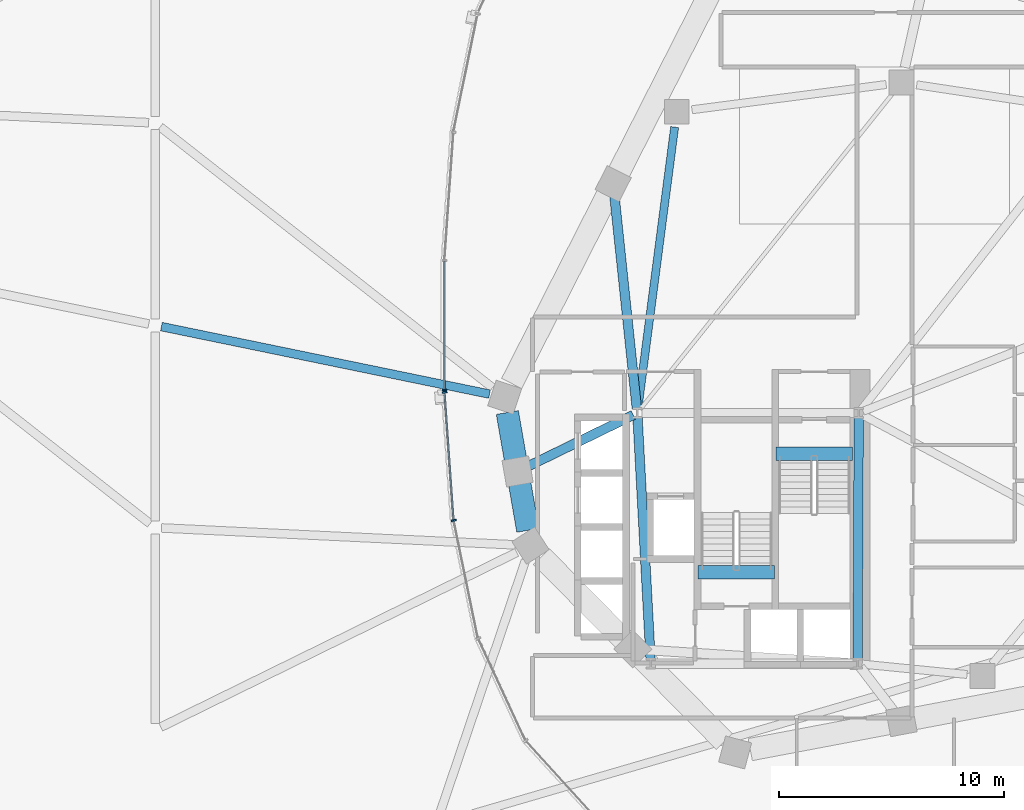
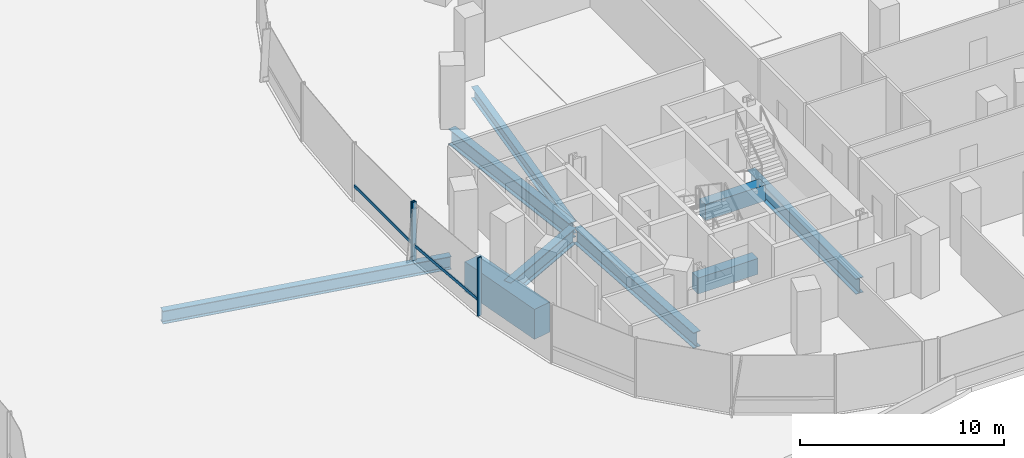
# One storey, part 11 of 28: 9 beams, 5 members, 2 elements without a shape of their own.
"""IFC4 building model written with IfcOpenShell, lengths in metres."""

from ifc_helpers import new_model, si_unit, direction, frame, origin, origin_2d, place, context, subcontext, project, spatial, rectangle, i_section, extrude, material, material_profile, profile_set, type_object, element, aggregate, save


model = new_model("IFC4")

# Units and contexts
model_context = context("Model", 3, precision=1e-05, world=origin(), true_north=direction((0.0, 1.0)))
body_context = subcontext(model_context, "Body", "Model", "MODEL_VIEW")
ifc_project = project(units=[si_unit("LENGTHUNIT", "METRE"), si_unit("AREAUNIT", "SQUARE_METRE"), si_unit("VOLUMEUNIT", "CUBIC_METRE"), si_unit("PLANEANGLEUNIT", "RADIAN"), si_unit("MASSUNIT", "GRAM", prefix="KILO"), si_unit("THERMODYNAMICTEMPERATUREUNIT", "KELVIN"), si_unit("POWERUNIT", "WATT")], contexts=[model_context])

# Site, building, storey
site_placement = place(None, origin())
site = spatial("IfcSite", under=ifc_project, at=site_placement, CompositionType="ELEMENT")
building_placement = place(site_placement, origin())
building = spatial("IfcBuilding", under=site, at=building_placement, Name="Cundina Bronze Exchange", CompositionType="ELEMENT")
storey_placement = place(building_placement, frame((0.0, 0.0, 24.0)))
storey = spatial("IfcBuildingStorey", under=building, at=storey_placement, Name="L05", CompositionType="ELEMENT", Elevation=24.0)

# Beams
ifc_material_1 = material(Name="Concrete C60/75", Category="concrete")
ifc_material_profile_1 = material_profile(ifc_material_1, rectangle(XDim=0.60009765625, YDim=0.949951171875, at=origin_2d()), Name="RC600X950", Category="concrete")
ifc_profile_set_1 = profile_set([ifc_material_profile_1], Name="Concrete C60/75")
beam_type_1 = type_object("IfcBeamType", Name="BM-COUP-RC950", PredefinedType="LINTEL", material=ifc_profile_set_1)
beam_1_placement = place(storey_placement, frame((27.6201171875, -5.719970703125, -0.47509765625), z_axis=(1.0, 0.0, 0.0), x_axis=(0.0, 1.0, 0.0)))
element("IfcBeam", 1, at=beam_1_placement, inside=storey, type_object=beam_type_1, Name="L05 Stair E1 Landing Header Beam", PredefinedType="LINTEL", context=body_context, shape_type="SweptSolid", body=[
    extrude(rectangle(XDim=0.60009765625, YDim=0.949951171875, at=origin_2d()), origin(), (0.0, 0.0, 1.0), 3.39990234375),
])
beam_2_placement = place(storey_placement, frame((24.159912109375, -10.97998046875, -0.47509765625), z_axis=(1.0, 0.0, 0.0), x_axis=(0.0, 1.0, 0.0)))
element("IfcBeam", 2, at=beam_2_placement, inside=storey, type_object=beam_type_1, Name="L05 Stair E2 Landing Header Beam", PredefinedType="LINTEL", context=body_context, shape_type="SweptSolid", body=[
    extrude(rectangle(XDim=0.60009765625, YDim=0.949951171875, at=origin_2d()), origin(), (0.0, 0.0, 1.0), 3.400146484375),
])
ifc_material_2 = material(Name="Steel ASTM A992 Grade 50", Category="steel")
ifc_material_profile_2 = material_profile(ifc_material_2, i_section(OverallWidth=0.35498046875, OverallDepth=0.695068359375, WebThickness=0.015380859375, FlangeThickness=0.02490234375, FilletRadius=0.01806640625, at=origin_2d()), Name="W27X146", Category="steel")
ifc_profile_set_2 = profile_set([ifc_material_profile_2], Name="Steel ASTM A992 Grade 50")
beam_type_2 = type_object("IfcBeamType", Name="BM-RING-W27", PredefinedType="USERDEFINED", material=ifc_profile_set_2)
beam_3_placement = place(storey_placement, frame((23.11083984375, 8.81787109375, -0.6474609375), z_axis=(-0.129498776905, -0.991579581668, 0.0), x_axis=(0.991579581668, -0.129498776905, 0.0)))
element("IfcBeam", 3, at=beam_3_placement, inside=storey, type_object=beam_type_2, Name="L05 E Inner Structural Ring Girder 07", ObjectType="GIRDER", PredefinedType="USERDEFINED", context=body_context, shape_type="SweptSolid", body=[
    extrude(i_section(OverallWidth=0.35498046875, OverallDepth=0.695068359375, WebThickness=0.015380859375, FlangeThickness=0.02490234375, FilletRadius=0.01806640625, at=origin_2d()), origin(), (0.0, 0.0, 1.0), 12.621826171875),
])
ifc_material_profile_3 = material_profile(ifc_material_2, i_section(OverallWidth=0.381103515625, OverallDepth=0.77294921875, WebThickness=0.0166015625, FlangeThickness=0.027099609375, FilletRadius=0.01904296875, at=origin_2d()), Name="W30X173", Category="steel")
ifc_profile_set_3 = profile_set([ifc_material_profile_3], Name="Steel ASTM A992 Grade 50")
beam_type_3 = type_object("IfcBeamType", Name="BM-RING-W30", PredefinedType="USERDEFINED", material=ifc_profile_set_3)
beam_4_placement = place(storey_placement, frame((0.281982421875, -0.05810546875, -0.69140625), z_axis=(0.979477217361, -0.201554907336, 0.0), x_axis=(0.201554907336, 0.979477217361, 0.0)))
element("IfcBeam", 4, at=beam_4_placement, inside=storey, type_object=beam_type_3, Name="L05 Concourse East Span Girder 03", ObjectType="GIRDER", PredefinedType="USERDEFINED", context=body_context, shape_type="SweptSolid", body=[
    extrude(i_section(OverallWidth=0.381103515625, OverallDepth=0.77294921875, WebThickness=0.0166015625, FlangeThickness=0.027099609375, FilletRadius=0.01904296875, at=origin_2d()), origin(), (0.0, 0.0, 1.0), 14.900146484375),
])
ifc_material_profile_4 = material_profile(ifc_material_2, i_section(OverallWidth=0.423095703125, OverallDepth=0.947998046875, WebThickness=0.02392578125, FlangeThickness=0.042724609375, FilletRadius=0.02392578125, at=origin_2d()), Name="W36X302", Category="steel")
ifc_profile_set_4 = profile_set([ifc_material_profile_4], Name="Steel ASTM A992 Grade 50")
beam_type_4 = type_object("IfcBeamType", Name="BM-WRN-W36A", PredefinedType="USERDEFINED", material=ifc_profile_set_4)
beam_5_placement = place(storey_placement, frame((21.2666015625, -3.989501953125, -0.77392578125), z_axis=(-0.898603119977, -0.438762387594, 0.0), x_axis=(0.438762387594, -0.898603119977, 0.0)))
element("IfcBeam", 5, at=beam_5_placement, inside=storey, type_object=beam_type_4, Name="L05 E Transfer Radial Tie Girder 01", ObjectType="GIRDER", PredefinedType="USERDEFINED", context=body_context, shape_type="SweptSolid", body=[
    extrude(i_section(OverallWidth=0.423095703125, OverallDepth=0.947998046875, WebThickness=0.02392578125, FlangeThickness=0.042724609375, FilletRadius=0.02392578125, at=origin_2d()), origin(), (0.0, 0.0, 1.0), 5.7216796875),
])
beam_6_placement = place(storey_placement, frame((21.4287109375, -3.697021484375, -0.77392578125), z_axis=(-0.104821321264, 0.994491071156, 0.0), x_axis=(-0.994491071156, -0.104821321264, 0.0)))
element("IfcBeam", 6, at=beam_6_placement, inside=storey, type_object=beam_type_4, Name="L05 E Transfer Radial Tie Girder 13", ObjectType="GIRDER", PredefinedType="USERDEFINED", context=body_context, shape_type="SweptSolid", body=[
    extrude(i_section(OverallWidth=0.423095703125, OverallDepth=0.947998046875, WebThickness=0.02392578125, FlangeThickness=0.042724609375, FilletRadius=0.02392578125, at=origin_2d()), origin(), (0.0, 0.0, 1.0), 10.052490234375),
])
ifc_material_profile_5 = material_profile(ifc_material_2, i_section(OverallWidth=0.41796875, OverallDepth=0.927001953125, WebThickness=0.019287109375, FlangeThickness=0.031982421875, FilletRadius=0.02392578125, at=origin_2d()), Name="W36X231", Category="steel")
ifc_profile_set_5 = profile_set([ifc_material_profile_5], Name="Steel ASTM A992 Grade 50")
beam_type_5 = type_object("IfcBeamType", Name="BM-WRN-W36B", PredefinedType="USERDEFINED", material=ifc_profile_set_5)
beam_7_placement = place(storey_placement, frame((21.4609375, -4.103759765625, -0.763427734375), z_axis=(0.053739193498, -0.998555005537, 0.0), x_axis=(0.998555005537, 0.053739193498, 0.0)))
element("IfcBeam", 7, at=beam_7_placement, inside=storey, type_object=beam_type_5, Name="L05 E Core Perimeter Tie Girder 2", ObjectType="GIRDER", PredefinedType="USERDEFINED", context=body_context, shape_type="SweptSolid", body=[
    extrude(i_section(OverallWidth=0.41796875, OverallDepth=0.927001953125, WebThickness=0.019287109375, FlangeThickness=0.031982421875, FilletRadius=0.02392578125, at=origin_2d()), origin(), (0.0, 0.0, 1.0), 10.758056640625),
])
beam_8_placement = place(storey_placement, frame((31.2509765625, -14.845947265625, -0.763427734375), z_axis=(0.004477329608, 0.99998997671, 0.0), x_axis=(-0.99998997671, 0.004477329608, 0.0)))
element("IfcBeam", 8, at=beam_8_placement, inside=storey, type_object=beam_type_5, Name="L05 E Core Perimeter Tie Girder 4", ObjectType="GIRDER", PredefinedType="USERDEFINED", context=body_context, shape_type="SweptSolid", body=[
    extrude(i_section(OverallWidth=0.41796875, OverallDepth=0.927001953125, WebThickness=0.019287109375, FlangeThickness=0.031982421875, FilletRadius=0.02392578125, at=origin_2d()), origin(), (0.0, 0.0, 1.0), 10.741943359375),
])
ifc_material_profile_6 = material_profile(ifc_material_1, rectangle(XDim=1.0, YDim=1.800048828125, at=origin_2d()), Name="RC1000X1800", Category="concrete")
ifc_profile_set_6 = profile_set([ifc_material_profile_6], Name="Concrete C60/75")
beam_type_6 = type_object("IfcBeamType", Name="BM-XFER-RC1800", PredefinedType="USERDEFINED", material=ifc_profile_set_6)
beam_9_placement = place(storey_placement, frame((15.668212890625, -3.877685546875, -1.199951171875), z_axis=(0.171608250567, -0.985165269555, 0.0), x_axis=(0.985165269555, 0.171608250567, 0.0)))
element("IfcBeam", 9, at=beam_9_placement, inside=storey, type_object=beam_type_6, Name="L05 E Podium Perimeter Transfer Girder 00", ObjectType="GIRDER", PredefinedType="USERDEFINED", context=body_context, shape_type="SweptSolid", body=[
    extrude(rectangle(XDim=1.0, YDim=1.800048828125, at=origin_2d()), origin(), (0.0, 0.0, 1.0), 5.323486328125),
])

# Curtain wall, member
ifc_material_3 = material(Name="Anodised Bronze Aluminium 6063-T6", Category="aluminium")
curtain_wall_type = type_object("IfcCurtainWallType", Name="CWS-TRD-LOW", PredefinedType="NOTDEFINED", material=ifc_material_3)
curtain_wall_1_placement = place(storey_placement, origin())
curtain_wall_1 = element("IfcCurtainWall", 10, at=curtain_wall_1_placement, inside=storey, type_object=curtain_wall_type, Name="L05 CW-02 Curtain Wall Run CWR-L05-E2", PredefinedType="NOTDEFINED")
ifc_material_profile_7 = material_profile(ifc_material_3, rectangle(XDim=0.074951171875, YDim=0.219970703125, at=origin_2d()), Name="AL75X220", Category="aluminium")
ifc_profile_set_7 = profile_set([ifc_material_profile_7], Name="Anodised Bronze Aluminium 6063-T6")
member_type_1 = type_object("IfcMemberType", Name="CWM-MUL-220", PredefinedType="MULLION", material=ifc_profile_set_7)
member_1_placement = place(storey_placement, frame((12.8720703125, -2.880615234375, 0.0), z_axis=(0.0, 0.0, 1.0), x_axis=(0.0, -1.0, 0.0)))
member_1 = element("IfcMember", 11, at=member_1_placement, type_object=member_type_1, Name="CW-02 End Mullion", PredefinedType="MULLION", context=body_context, shape_type="SweptSolid", body=[
    extrude(rectangle(XDim=0.074951171875, YDim=0.219970703125, at=origin_2d()), origin(), (0.0, 0.0, 1.0), 3.5),
])

# Curtain wall, members
curtain_wall_2_placement = place(storey_placement, origin())
curtain_wall_2 = element("IfcCurtainWall", 12, at=curtain_wall_2_placement, inside=storey, type_object=curtain_wall_type, Name="L05 CW-02 Curtain Wall Run CWR-L05-E3", PredefinedType="NOTDEFINED")
member_2_placement = place(storey_placement, frame((12.87548828125, -2.976318359375, 0.0), z_axis=(0.0, 0.0, 1.0), x_axis=(0.070278787473, -0.997527389113, 0.0)))
member_2 = element("IfcMember", 13, at=member_2_placement, type_object=member_type_1, Name="CW-02 Mullion 1", PredefinedType="MULLION", context=body_context, shape_type="SweptSolid", body=[
    extrude(rectangle(XDim=0.074951171875, YDim=0.219970703125, at=origin_2d()), origin(), (0.0, 0.0, 1.0), 3.5),
])
member_3_placement = place(storey_placement, frame((13.282958984375, -8.67822265625, 0.0), z_axis=(0.0, 0.0, 1.0), x_axis=(0.201419845156, -0.979505000486, 0.0)))
member_3 = element("IfcMember", 14, at=member_3_placement, type_object=member_type_1, Name="CW-02 Mullion 2", PredefinedType="MULLION", context=body_context, shape_type="SweptSolid", body=[
    extrude(rectangle(XDim=0.074951171875, YDim=0.219970703125, at=origin_2d()), origin(), (0.0, 0.0, 1.0), 3.5),
])

# Member
ifc_material_profile_8 = material_profile(ifc_material_3, rectangle(XDim=0.070068359375, YDim=0.179931640625, at=origin_2d()), Name="AL70X180", Category="aluminium")
ifc_profile_set_8 = profile_set([ifc_material_profile_8], Name="Anodised Bronze Aluminium 6063-T6")
member_type_2 = type_object("IfcMemberType", Name="CWM-TRN-180", PredefinedType="USERDEFINED", material=ifc_profile_set_8)
member_4_placement = place(storey_placement, frame((12.8720703125, 2.839111328125, 0.919921875), z_axis=(0.0, -1.0, 0.0), x_axis=(1.0, 0.0, 0.0)))
member_4 = element("IfcMember", 15, at=member_4_placement, type_object=member_type_2, Name="CW-02 Spandrel Transom 7", ObjectType="TRANSOM", PredefinedType="USERDEFINED", context=body_context, shape_type="SweptSolid", body=[
    extrude(rectangle(XDim=0.070068359375, YDim=0.179931640625, at=origin_2d()), origin(), (0.0, 0.0, 1.0), 5.67822265625),
])

aggregate(curtain_wall_1, [member_1, member_4])

member_5_placement = place(storey_placement, frame((12.87841796875, -3.017333984375, 0.919921875), z_axis=(0.070260714471, -0.997528662246, 0.0), x_axis=(0.997528662246, 0.070260714471, 0.0)))
member_5 = element("IfcMember", 16, at=member_5_placement, type_object=member_type_2, Name="CW-02 Spandrel Transom 1", ObjectType="TRANSOM", PredefinedType="USERDEFINED", context=body_context, shape_type="SweptSolid", body=[
    extrude(rectangle(XDim=0.070068359375, YDim=0.179931640625, at=origin_2d()), origin(), (0.0, 0.0, 1.0), 5.629150390625),
])

aggregate(curtain_wall_2, [member_2, member_5, member_3])

save(model, "model.ifc")
